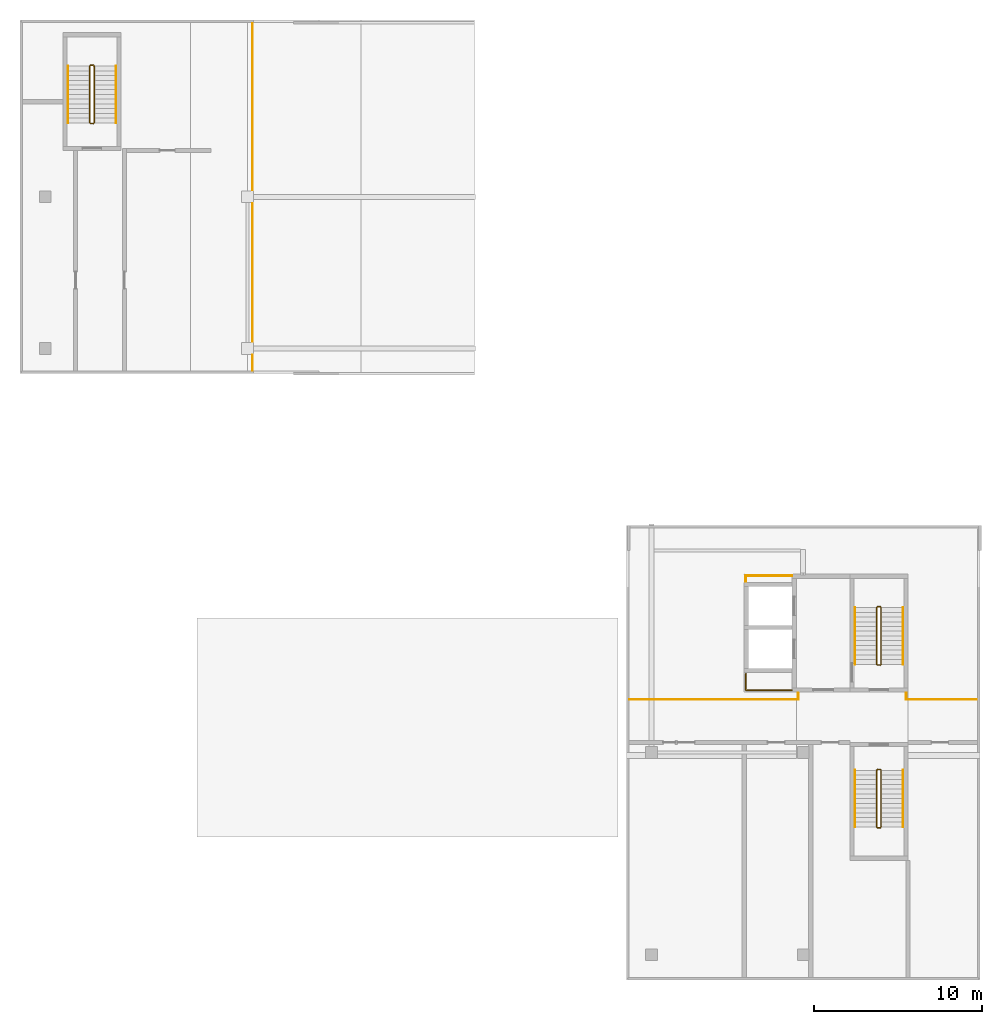
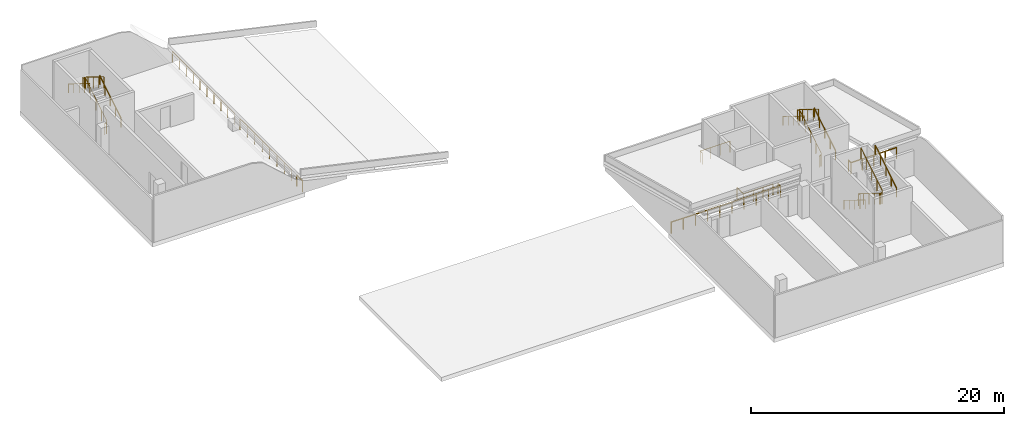
# One storey, part 4 of 4: 16 railings.
"""IFC4 building model written with IfcOpenShell, lengths in metres."""

from ifc_helpers import new_model, si_unit, direction, frame, origin, origin_2d, place, context, subcontext, project, spatial, rectangle, extrude, material, type_object, element, save


model = new_model("IFC4")

# Units and contexts
model_context = context("Model", 3, precision=1e-05, world=origin(), true_north=direction((0.0, 1.0)))
body_context = subcontext(model_context, "Body", "Model", "MODEL_VIEW")
ifc_project = project(units=[si_unit("LENGTHUNIT", "METRE"), si_unit("AREAUNIT", "SQUARE_METRE"), si_unit("VOLUMEUNIT", "CUBIC_METRE"), si_unit("PLANEANGLEUNIT", "RADIAN"), si_unit("MASSUNIT", "GRAM", prefix="KILO")], contexts=[model_context])

# Site, building, storey
site_placement = place(None, origin())
site = spatial("IfcSite", under=ifc_project, at=site_placement, CompositionType="ELEMENT")
building_placement = place(site_placement, origin())
building = spatial("IfcBuilding", under=site, at=building_placement, Name="Chenar Terraces", CompositionType="ELEMENT")
storey_placement = place(building_placement, frame((0.0, 0.0, 388.89990234375)))
storey = spatial("IfcBuildingStorey", under=building, at=storey_placement, Name="L91", CompositionType="ELEMENT", Elevation=388.89990234375)

# Railings
ifc_material_1 = material(Name="Powder-coated steel", Category="steel")
railing_type_1 = type_object("IfcRailingType", Name="Guard 1100 steel rail on posts", PredefinedType="GUARDRAIL", material=ifc_material_1)
railing_1_placement = place(storey_placement, frame((12.300048828125, 35.590087890625, 0.0)))
element("IfcRailing", 1, at=railing_1_placement, inside=storey, type_object=railing_type_1, Name="Guard L91-E1", PredefinedType="GUARDRAIL", context=body_context, shape_type="SweptSolid", body=[
    extrude(rectangle(XDim=0.048095703125, YDim=0.048095703125, at=origin_2d()), frame((0.0, 0.0, 1.076171875), z_axis=(0.0, -1.0, 0.0), x_axis=(1.0, 0.0, 0.0)), (0.0, 0.0, 1.0), 0.89013671875),
    extrude(rectangle(XDim=0.0419921875, YDim=0.0419921875, at=origin_2d()), origin(), (0.0, 0.0, 1.0), 1.052001953125),
    extrude(rectangle(XDim=0.0419921875, YDim=0.0419921875, at=origin_2d()), frame((0.0, -0.89013671875, 0.0)), (0.0, 0.0, 1.0), 1.052001953125),
])
railing_2_placement = place(storey_placement, frame((12.300048828125, 44.590087890625, 0.0)))
element("IfcRailing", 2, at=railing_2_placement, inside=storey, type_object=railing_type_1, Name="Guard L91-E2", PredefinedType="GUARDRAIL", context=body_context, shape_type="SweptSolid", body=[
    extrude(rectangle(XDim=0.048095703125, YDim=0.048095703125, at=origin_2d()), frame((0.0, 0.0, 1.076171875), z_axis=(0.0, -1.0, 0.0), x_axis=(1.0, 0.0, 0.0)), (0.0, 0.0, 1.0), 8.18017578125),
    extrude(rectangle(XDim=0.0419921875, YDim=0.0419921875, at=origin_2d()), origin(), (0.0, 0.0, 1.0), 1.052001953125),
    extrude(rectangle(XDim=0.0419921875, YDim=0.0419921875, at=origin_2d()), frame((0.0, -1.168701171875, 0.0)), (0.0, 0.0, 1.0), 1.052001953125),
    extrude(rectangle(XDim=0.0419921875, YDim=0.0419921875, at=origin_2d()), frame((0.0, -2.337158203125, 0.0)), (0.0, 0.0, 1.0), 1.052001953125),
    extrude(rectangle(XDim=0.0419921875, YDim=0.0419921875, at=origin_2d()), frame((0.0, -3.505859375, 0.0)), (0.0, 0.0, 1.0), 1.052001953125),
    extrude(rectangle(XDim=0.0419921875, YDim=0.0419921875, at=origin_2d()), frame((0.0, -4.67431640625, 0.0)), (0.0, 0.0, 1.0), 1.052001953125),
    extrude(rectangle(XDim=0.0419921875, YDim=0.0419921875, at=origin_2d()), frame((0.0, -5.843017578125, 0.0)), (0.0, 0.0, 1.0), 1.052001953125),
    extrude(rectangle(XDim=0.0419921875, YDim=0.0419921875, at=origin_2d()), frame((0.0, -7.011474609375, 0.0)), (0.0, 0.0, 1.0), 1.052001953125),
    extrude(rectangle(XDim=0.0419921875, YDim=0.0419921875, at=origin_2d()), frame((0.0, -8.18017578125, 0.0)), (0.0, 0.0, 1.0), 1.052001953125),
])
railing_3_placement = place(storey_placement, frame((12.300048828125, 55.300048828125, 0.0)))
element("IfcRailing", 3, at=railing_3_placement, inside=storey, type_object=railing_type_1, Name="Guard L91-E3", PredefinedType="GUARDRAIL", context=body_context, shape_type="SweptSolid", body=[
    extrude(rectangle(XDim=0.048095703125, YDim=0.048095703125, at=origin_2d()), frame((0.0, 0.0, 1.076171875), z_axis=(0.0, -1.0, 0.0), x_axis=(1.0, 0.0, 0.0)), (0.0, 0.0, 1.0), 9.89013671875),
    extrude(rectangle(XDim=0.0419921875, YDim=0.0419921875, at=origin_2d()), origin(), (0.0, 0.0, 1.0), 1.052001953125),
    extrude(rectangle(XDim=0.0419921875, YDim=0.0419921875, at=origin_2d()), frame((0.0, -1.098876953125, 0.0)), (0.0, 0.0, 1.0), 1.052001953125),
    extrude(rectangle(XDim=0.0419921875, YDim=0.0419921875, at=origin_2d()), frame((0.0, -2.19775390625, 0.0)), (0.0, 0.0, 1.0), 1.052001953125),
    extrude(rectangle(XDim=0.0419921875, YDim=0.0419921875, at=origin_2d()), frame((0.0, -3.296630859375, 0.0)), (0.0, 0.0, 1.0), 1.052001953125),
    extrude(rectangle(XDim=0.0419921875, YDim=0.0419921875, at=origin_2d()), frame((0.0, -4.3955078125, 0.0)), (0.0, 0.0, 1.0), 1.052001953125),
    extrude(rectangle(XDim=0.0419921875, YDim=0.0419921875, at=origin_2d()), frame((0.0, -5.49462890625, 0.0)), (0.0, 0.0, 1.0), 1.052001953125),
    extrude(rectangle(XDim=0.0419921875, YDim=0.0419921875, at=origin_2d()), frame((0.0, -6.593505859375, 0.0)), (0.0, 0.0, 1.0), 1.052001953125),
    extrude(rectangle(XDim=0.0419921875, YDim=0.0419921875, at=origin_2d()), frame((0.0, -7.6923828125, 0.0)), (0.0, 0.0, 1.0), 1.052001953125),
    extrude(rectangle(XDim=0.0419921875, YDim=0.0419921875, at=origin_2d()), frame((0.0, -8.791259765625, 0.0)), (0.0, 0.0, 1.0), 1.052001953125),
    extrude(rectangle(XDim=0.0419921875, YDim=0.0419921875, at=origin_2d()), frame((0.0, -9.89013671875, 0.0)), (0.0, 0.0, 1.0), 1.052001953125),
])
railing_4_placement = place(storey_placement, frame((34.699951171875, 15.14990234375, 0.0)))
element("IfcRailing", 4, at=railing_4_placement, inside=storey, type_object=railing_type_1, Name="Guard L91-E4", PredefinedType="GUARDRAIL", context=body_context, shape_type="SweptSolid", body=[
    extrude(rectangle(XDim=0.048095703125, YDim=0.048095703125, at=origin_2d()), frame((0.0, 0.0, 1.076171875), z_axis=(1.0, 0.0, 0.0), x_axis=(0.0, 1.0, 0.0)), (0.0, 0.0, 1.0), 10.0),
    extrude(rectangle(XDim=0.048095703125, YDim=0.048095703125, at=origin_2d()), frame((10.0, 0.0, 1.076171875), z_axis=(0.0, 1.0, 0.0), x_axis=(-1.0, 0.0, 0.0)), (0.0, 0.0, 1.0), 0.39013671875),
    extrude(rectangle(XDim=0.0419921875, YDim=0.0419921875, at=origin_2d()), origin(), (0.0, 0.0, 1.0), 1.052001953125),
    extrude(rectangle(XDim=0.0419921875, YDim=0.0419921875, at=origin_2d()), frame((1.111083984375, 0.0, 0.0)), (0.0, 0.0, 1.0), 1.052001953125),
    extrude(rectangle(XDim=0.0419921875, YDim=0.0419921875, at=origin_2d()), frame((2.22216796875, 0.0, 0.0)), (0.0, 0.0, 1.0), 1.052001953125),
    extrude(rectangle(XDim=0.0419921875, YDim=0.0419921875, at=origin_2d()), frame((3.333251953125, 0.0, 0.0)), (0.0, 0.0, 1.0), 1.052001953125),
    extrude(rectangle(XDim=0.0419921875, YDim=0.0419921875, at=origin_2d()), frame((4.4443359375, 0.0, 0.0)), (0.0, 0.0, 1.0), 1.052001953125),
    extrude(rectangle(XDim=0.0419921875, YDim=0.0419921875, at=origin_2d()), frame((5.5556640625, 0.0, 0.0)), (0.0, 0.0, 1.0), 1.052001953125),
    extrude(rectangle(XDim=0.0419921875, YDim=0.0419921875, at=origin_2d()), frame((6.666748046875, 0.0, 0.0)), (0.0, 0.0, 1.0), 1.052001953125),
    extrude(rectangle(XDim=0.0419921875, YDim=0.0419921875, at=origin_2d()), frame((7.77783203125, 0.0, 0.0)), (0.0, 0.0, 1.0), 1.052001953125),
    extrude(rectangle(XDim=0.0419921875, YDim=0.0419921875, at=origin_2d()), frame((8.888916015625, 0.0, 0.0)), (0.0, 0.0, 1.0), 1.052001953125),
    extrude(rectangle(XDim=0.0419921875, YDim=0.0419921875, at=origin_2d()), frame((10.0, 0.0, 0.0)), (0.0, 0.0, 1.0), 1.052001953125),
    extrude(rectangle(XDim=0.0419921875, YDim=0.0419921875, at=origin_2d()), frame((10.0, 0.39013671875, 0.0)), (0.0, 0.0, 1.0), 1.052001953125),
])
railing_5_placement = place(storey_placement, frame((44.330078125, 15.699951171875, 0.0)))
element("IfcRailing", 5, at=railing_5_placement, inside=storey, type_object=railing_type_1, Name="Guard L91-E5", PredefinedType="GUARDRAIL", context=body_context, shape_type="SweptSolid", body=[
    extrude(rectangle(XDim=0.048095703125, YDim=0.048095703125, at=origin_2d()), frame((0.0, 0.0, 1.076171875), z_axis=(-1.0, 0.0, 0.0), x_axis=(0.0, -1.0, 0.0)), (0.0, 0.0, 1.0), 2.72998046875),
    extrude(rectangle(XDim=0.048095703125, YDim=0.048095703125, at=origin_2d()), frame((-2.72998046875, 0.0, 1.076171875), z_axis=(0.0, 1.0, 0.0), x_axis=(-1.0, 0.0, 0.0)), (0.0, 0.0, 1.0), 0.989990234375),
    extrude(rectangle(XDim=0.0419921875, YDim=0.0419921875, at=origin_2d()), origin(), (0.0, 0.0, 1.0), 1.052001953125),
    extrude(rectangle(XDim=0.0419921875, YDim=0.0419921875, at=origin_2d()), frame((-0.909912109375, 0.0, 0.0)), (0.0, 0.0, 1.0), 1.052001953125),
    extrude(rectangle(XDim=0.0419921875, YDim=0.0419921875, at=origin_2d()), frame((-1.820068359375, 0.0, 0.0)), (0.0, 0.0, 1.0), 1.052001953125),
    extrude(rectangle(XDim=0.0419921875, YDim=0.0419921875, at=origin_2d()), frame((-2.72998046875, 0.0, 0.0)), (0.0, 0.0, 1.0), 1.052001953125),
    extrude(rectangle(XDim=0.0419921875, YDim=0.0419921875, at=origin_2d()), frame((-2.72998046875, 0.989990234375, 0.0)), (0.0, 0.0, 1.0), 1.052001953125),
])
railing_6_placement = place(storey_placement, frame((41.60009765625, 22.159912109375, 0.0)))
element("IfcRailing", 6, at=railing_6_placement, inside=storey, type_object=railing_type_1, Name="Guard L91-E6", PredefinedType="GUARDRAIL", context=body_context, shape_type="SweptSolid", body=[
    extrude(rectangle(XDim=0.048095703125, YDim=0.048095703125, at=origin_2d()), frame((0.0, 0.0, 1.076171875), z_axis=(0.0, 1.0, 0.0), x_axis=(-1.0, 0.0, 0.0)), (0.0, 0.0, 1.0), 0.340087890625),
    extrude(rectangle(XDim=0.048095703125, YDim=0.048095703125, at=origin_2d()), frame((0.0, 0.340087890625, 1.076171875), z_axis=(1.0, 0.0, 0.0), x_axis=(0.0, 1.0, 0.0)), (0.0, 0.0, 1.0), 2.72998046875),
    extrude(rectangle(XDim=0.0419921875, YDim=0.0419921875, at=origin_2d()), origin(), (0.0, 0.0, 1.0), 1.052001953125),
    extrude(rectangle(XDim=0.0419921875, YDim=0.0419921875, at=origin_2d()), frame((0.0, 0.340087890625, 0.0)), (0.0, 0.0, 1.0), 1.052001953125),
    extrude(rectangle(XDim=0.0419921875, YDim=0.0419921875, at=origin_2d()), frame((0.909912109375, 0.340087890625, 0.0)), (0.0, 0.0, 1.0), 1.052001953125),
    extrude(rectangle(XDim=0.0419921875, YDim=0.0419921875, at=origin_2d()), frame((1.820068359375, 0.340087890625, 0.0)), (0.0, 0.0, 1.0), 1.052001953125),
    extrude(rectangle(XDim=0.0419921875, YDim=0.0419921875, at=origin_2d()), frame((2.72998046875, 0.340087890625, 0.0)), (0.0, 0.0, 1.0), 1.052001953125),
])
railing_7_placement = place(storey_placement, frame((51.125, 15.5400390625, 0.0)))
element("IfcRailing", 7, at=railing_7_placement, inside=storey, type_object=railing_type_1, Name="Guard L91-E7", PredefinedType="GUARDRAIL", context=body_context, shape_type="SweptSolid", body=[
    extrude(rectangle(XDim=0.048095703125, YDim=0.048095703125, at=origin_2d()), frame((0.0, 0.0, 1.076171875), z_axis=(0.0, -1.0, 0.0), x_axis=(1.0, 0.0, 0.0)), (0.0, 0.0, 1.0), 0.39013671875),
    extrude(rectangle(XDim=0.048095703125, YDim=0.048095703125, at=origin_2d()), frame((0.0, -0.39013671875, 1.076171875), z_axis=(1.0, 0.0, 0.0), x_axis=(0.0, 1.0, 0.0)), (0.0, 0.0, 1.0), 4.175048828125),
    extrude(rectangle(XDim=0.0419921875, YDim=0.0419921875, at=origin_2d()), origin(), (0.0, 0.0, 1.0), 1.052001953125),
    extrude(rectangle(XDim=0.0419921875, YDim=0.0419921875, at=origin_2d()), frame((0.0, -0.39013671875, 0.0)), (0.0, 0.0, 1.0), 1.052001953125),
    extrude(rectangle(XDim=0.0419921875, YDim=0.0419921875, at=origin_2d()), frame((1.043701171875, -0.39013671875, 0.0)), (0.0, 0.0, 1.0), 1.052001953125),
    extrude(rectangle(XDim=0.0419921875, YDim=0.0419921875, at=origin_2d()), frame((2.08740234375, -0.39013671875, 0.0)), (0.0, 0.0, 1.0), 1.052001953125),
    extrude(rectangle(XDim=0.0419921875, YDim=0.0419921875, at=origin_2d()), frame((3.13134765625, -0.39013671875, 0.0)), (0.0, 0.0, 1.0), 1.052001953125),
    extrude(rectangle(XDim=0.0419921875, YDim=0.0419921875, at=origin_2d()), frame((4.175048828125, -0.39013671875, 0.0)), (0.0, 0.0, 1.0), 1.052001953125),
])
ifc_material_2 = material(Name="Powder-coated steel", Category="steel")
railing_type_2 = type_object("IfcRailingType", Name="Stair guard 1100", PredefinedType="GUARDRAIL", material=ifc_material_2)
railing_8_placement = place(storey_placement, frame((49.375, 17.25, 4.5)))
element("IfcRailing", 8, at=railing_8_placement, inside=storey, type_object=railing_type_2, Name="L91 ST3 stair guard 1", PredefinedType="GUARDRAIL", context=body_context, shape_type="SweptSolid", body=[
    extrude(rectangle(XDim=0.048095703125, YDim=0.048095703125, at=origin_2d()), frame((0.0, 0.0, 1.076171875), z_axis=(0.0, 0.850623216509, -0.525775754039), x_axis=(-1.0, 0.0, 0.0)), (0.0, 0.0, 1.0), 3.9501953125),
    extrude(rectangle(XDim=0.048095703125, YDim=0.048095703125, at=origin_2d()), frame((0.0, 3.360107421875, -1.0009765625), z_axis=(0.267723051232, 0.266417085129, -0.925929967433), x_axis=(-0.705375805398, 0.708833529934, 0.0)), (0.0, 0.0, 1.0), 0.18701171875),
    extrude(rectangle(XDim=0.048095703125, YDim=0.048095703125, at=origin_2d()), frame((0.050048828125, 3.409912109375, -1.173828125), z_axis=(1.0, 0.0, 0.0), x_axis=(0.0, 1.0, 0.0)), (0.0, 0.0, 1.0), 0.14990234375),
    extrude(rectangle(XDim=0.048095703125, YDim=0.048095703125, at=origin_2d()), frame((0.199951171875, 3.409912109375, -1.173828125), z_axis=(0.708833529934, -0.705375805398, 0.0), x_axis=(0.705375805398, 0.708833529934, 0.0)), (0.0, 0.0, 1.0), 0.070556640625),
    extrude(rectangle(XDim=0.048095703125, YDim=0.048095703125, at=origin_2d()), frame((0.25, 3.360107421875, -1.173828125), z_axis=(0.0, -0.850623216509, -0.525775754039), x_axis=(1.0, 0.0, 0.0)), (0.0, 0.0, 1.0), 3.9501953125),
    extrude(rectangle(XDim=0.048095703125, YDim=0.048095703125, at=origin_2d()), frame((0.25, 0.0, -3.2509765625), z_axis=(-0.267629722418, -0.267629722418, -0.925607186314), x_axis=(0.707106781187, -0.707106781187, 0.0)), (0.0, 0.0, 1.0), 0.18701171875),
    extrude(rectangle(XDim=0.048095703125, YDim=0.048095703125, at=origin_2d()), frame((0.199951171875, -0.050048828125, -3.423828125), z_axis=(-1.0, 0.0, 0.0), x_axis=(0.0, -1.0, 0.0)), (0.0, 0.0, 1.0), 0.14990234375),
    extrude(rectangle(XDim=0.0419921875, YDim=0.0419921875, at=origin_2d()), origin(), (0.0, 0.0, 1.0), 1.052001953125),
    extrude(rectangle(XDim=0.0419921875, YDim=0.0419921875, at=origin_2d()), frame((0.0, 0.840087890625, -0.519287109375)), (0.0, 0.0, 1.0), 1.052001953125),
    extrude(rectangle(XDim=0.0419921875, YDim=0.0419921875, at=origin_2d()), frame((0.0, 1.68017578125, -1.03857421875)), (0.0, 0.0, 1.0), 1.052001953125),
    extrude(rectangle(XDim=0.0419921875, YDim=0.0419921875, at=origin_2d()), frame((0.0, 2.52001953125, -1.5576171875)), (0.0, 0.0, 1.0), 1.052001953125),
    extrude(rectangle(XDim=0.0419921875, YDim=0.0419921875, at=origin_2d()), frame((0.0, 3.360107421875, -2.076904296875)), (0.0, 0.0, 1.0), 1.052001953125),
    extrude(rectangle(XDim=0.0419921875, YDim=0.0419921875, at=origin_2d()), frame((0.050048828125, 3.409912109375, -2.25)), (0.0, 0.0, 1.0), 1.052001953125),
    extrude(rectangle(XDim=0.0419921875, YDim=0.0419921875, at=origin_2d()), frame((0.199951171875, 3.409912109375, -2.25)), (0.0, 0.0, 1.0), 1.052001953125),
    extrude(rectangle(XDim=0.0419921875, YDim=0.0419921875, at=origin_2d()), frame((0.25, 3.360107421875, -2.25)), (0.0, 0.0, 1.0), 1.052001953125),
    extrude(rectangle(XDim=0.0419921875, YDim=0.0419921875, at=origin_2d()), frame((0.25, 2.52001953125, -2.769287109375)), (0.0, 0.0, 1.0), 1.052001953125),
    extrude(rectangle(XDim=0.0419921875, YDim=0.0419921875, at=origin_2d()), frame((0.25, 1.68017578125, -3.28857421875)), (0.0, 0.0, 1.0), 1.052001953125),
    extrude(rectangle(XDim=0.0419921875, YDim=0.0419921875, at=origin_2d()), frame((0.25, 0.840087890625, -3.8076171875)), (0.0, 0.0, 1.0), 1.052001953125),
    extrude(rectangle(XDim=0.0419921875, YDim=0.0419921875, at=origin_2d()), frame((0.25, 0.0, -4.326904296875)), (0.0, 0.0, 1.0), 1.052001953125),
    extrude(rectangle(XDim=0.0419921875, YDim=0.0419921875, at=origin_2d()), frame((0.199951171875, -0.050048828125, -4.5)), (0.0, 0.0, 1.0), 1.052001953125),
    extrude(rectangle(XDim=0.0419921875, YDim=0.0419921875, at=origin_2d()), frame((0.050048828125, -0.050048828125, -4.5)), (0.0, 0.0, 1.0), 1.052001953125),
])
railing_9_placement = place(storey_placement, frame((49.625, 10.949951171875, 4.5)))
element("IfcRailing", 9, at=railing_9_placement, inside=storey, type_object=railing_type_2, Name="L91 ST5 stair guard 1", PredefinedType="GUARDRAIL", context=body_context, shape_type="SweptSolid", body=[
    extrude(rectangle(XDim=0.048095703125, YDim=0.048095703125, at=origin_2d()), frame((0.0, 0.0, 1.076171875), z_axis=(0.0, -0.850606129759, -0.525803396734), x_axis=(1.0, 0.0, 0.0)), (0.0, 0.0, 1.0), 3.949951171875),
    extrude(rectangle(XDim=0.048095703125, YDim=0.048095703125, at=origin_2d()), frame((0.0, -3.35986328125, -1.0009765625), z_axis=(-0.267629722418, -0.267629722418, -0.925607186314), x_axis=(0.707106781187, -0.707106781187, 0.0)), (0.0, 0.0, 1.0), 0.18701171875),
    extrude(rectangle(XDim=0.048095703125, YDim=0.048095703125, at=origin_2d()), frame((-0.050048828125, -3.409912109375, -1.173828125), z_axis=(-1.0, 0.0, 0.0), x_axis=(0.0, -1.0, 0.0)), (0.0, 0.0, 1.0), 0.14990234375),
    extrude(rectangle(XDim=0.048095703125, YDim=0.048095703125, at=origin_2d()), frame((-0.199951171875, -3.409912109375, -1.173828125), z_axis=(-0.707106781187, 0.707106781187, 0.0), x_axis=(-0.707106781187, -0.707106781187, 0.0)), (0.0, 0.0, 1.0), 0.07080078125),
    extrude(rectangle(XDim=0.048095703125, YDim=0.048095703125, at=origin_2d()), frame((-0.25, -3.35986328125, -1.173828125), z_axis=(0.0, 0.850606129759, -0.525803396734), x_axis=(-1.0, 0.0, 0.0)), (0.0, 0.0, 1.0), 3.949951171875),
    extrude(rectangle(XDim=0.048095703125, YDim=0.048095703125, at=origin_2d()), frame((-0.25, 0.0, -3.2509765625), z_axis=(0.267629722418, 0.267629722418, -0.925607186314), x_axis=(-0.707106781187, 0.707106781187, 0.0)), (0.0, 0.0, 1.0), 0.18701171875),
    extrude(rectangle(XDim=0.048095703125, YDim=0.048095703125, at=origin_2d()), frame((-0.199951171875, 0.050048828125, -3.423828125), z_axis=(1.0, 0.0, 0.0), x_axis=(0.0, 1.0, 0.0)), (0.0, 0.0, 1.0), 0.14990234375),
    extrude(rectangle(XDim=0.0419921875, YDim=0.0419921875, at=origin_2d()), origin(), (0.0, 0.0, 1.0), 1.052001953125),
    extrude(rectangle(XDim=0.0419921875, YDim=0.0419921875, at=origin_2d()), frame((0.0, -0.83984375, -0.519287109375)), (0.0, 0.0, 1.0), 1.052001953125),
    extrude(rectangle(XDim=0.0419921875, YDim=0.0419921875, at=origin_2d()), frame((0.0, -1.679931640625, -1.03857421875)), (0.0, 0.0, 1.0), 1.052001953125),
    extrude(rectangle(XDim=0.0419921875, YDim=0.0419921875, at=origin_2d()), frame((0.0, -2.52001953125, -1.5576171875)), (0.0, 0.0, 1.0), 1.052001953125),
    extrude(rectangle(XDim=0.0419921875, YDim=0.0419921875, at=origin_2d()), frame((0.0, -3.35986328125, -2.076904296875)), (0.0, 0.0, 1.0), 1.052001953125),
    extrude(rectangle(XDim=0.0419921875, YDim=0.0419921875, at=origin_2d()), frame((-0.050048828125, -3.409912109375, -2.25)), (0.0, 0.0, 1.0), 1.052001953125),
    extrude(rectangle(XDim=0.0419921875, YDim=0.0419921875, at=origin_2d()), frame((-0.199951171875, -3.409912109375, -2.25)), (0.0, 0.0, 1.0), 1.052001953125),
    extrude(rectangle(XDim=0.0419921875, YDim=0.0419921875, at=origin_2d()), frame((-0.25, -3.35986328125, -2.25)), (0.0, 0.0, 1.0), 1.052001953125),
    extrude(rectangle(XDim=0.0419921875, YDim=0.0419921875, at=origin_2d()), frame((-0.25, -2.52001953125, -2.769287109375)), (0.0, 0.0, 1.0), 1.052001953125),
    extrude(rectangle(XDim=0.0419921875, YDim=0.0419921875, at=origin_2d()), frame((-0.25, -1.679931640625, -3.28857421875)), (0.0, 0.0, 1.0), 1.052001953125),
    extrude(rectangle(XDim=0.0419921875, YDim=0.0419921875, at=origin_2d()), frame((-0.25, -0.83984375, -3.8076171875)), (0.0, 0.0, 1.0), 1.052001953125),
    extrude(rectangle(XDim=0.0419921875, YDim=0.0419921875, at=origin_2d()), frame((-0.25, 0.0, -4.326904296875)), (0.0, 0.0, 1.0), 1.052001953125),
    extrude(rectangle(XDim=0.0419921875, YDim=0.0419921875, at=origin_2d()), frame((-0.199951171875, 0.050048828125, -4.5)), (0.0, 0.0, 1.0), 1.052001953125),
    extrude(rectangle(XDim=0.0419921875, YDim=0.0419921875, at=origin_2d()), frame((-0.050048828125, 0.050048828125, -4.5)), (0.0, 0.0, 1.0), 1.052001953125),
])
railing_10_placement = place(storey_placement, frame((2.64990234375, 49.39990234375, 4.5)))
element("IfcRailing", 10, at=railing_10_placement, inside=storey, type_object=railing_type_2, Name="L91 ST6 stair guard 1", PredefinedType="GUARDRAIL", context=body_context, shape_type="SweptSolid", body=[
    extrude(rectangle(XDim=0.048095703125, YDim=0.048095703125, at=origin_2d()), frame((0.0, 0.0, 1.076171875), z_axis=(0.0, 0.850623216509, -0.525775754039), x_axis=(-1.0, 0.0, 0.0)), (0.0, 0.0, 1.0), 3.9501953125),
    extrude(rectangle(XDim=0.048095703125, YDim=0.048095703125, at=origin_2d()), frame((0.0, 3.360107421875, -1.0009765625), z_axis=(0.267629722418, 0.267629722418, -0.925607186314), x_axis=(-0.707106781187, 0.707106781187, 0.0)), (0.0, 0.0, 1.0), 0.18701171875),
    extrude(rectangle(XDim=0.048095703125, YDim=0.048095703125, at=origin_2d()), frame((0.050048828125, 3.41015625, -1.173828125), z_axis=(1.0, 0.0, 0.0), x_axis=(0.0, 1.0, 0.0)), (0.0, 0.0, 1.0), 0.150146484375),
    extrude(rectangle(XDim=0.048095703125, YDim=0.048095703125, at=origin_2d()), frame((0.2001953125, 3.41015625, -1.173828125), z_axis=(0.705375805398, -0.708833529934, 0.0), x_axis=(0.708833529934, 0.705375805398, 0.0)), (0.0, 0.0, 1.0), 0.070556640625),
    extrude(rectangle(XDim=0.048095703125, YDim=0.048095703125, at=origin_2d()), frame((0.25, 3.360107421875, -1.173828125), z_axis=(0.0, -0.850623216509, -0.525775754039), x_axis=(1.0, 0.0, 0.0)), (0.0, 0.0, 1.0), 3.9501953125),
    extrude(rectangle(XDim=0.048095703125, YDim=0.048095703125, at=origin_2d()), frame((0.25, 0.0, -3.2509765625), z_axis=(-0.26651005591, -0.26651005591, -0.926253086471), x_axis=(0.707106781187, -0.707106781187, 0.0)), (0.0, 0.0, 1.0), 0.186767578125),
    extrude(rectangle(XDim=0.048095703125, YDim=0.048095703125, at=origin_2d()), frame((0.2001953125, -0.0498046875, -3.423828125), z_axis=(-1.0, 0.0, 0.0), x_axis=(0.0, -1.0, 0.0)), (0.0, 0.0, 1.0), 0.150146484375),
    extrude(rectangle(XDim=0.0419921875, YDim=0.0419921875, at=origin_2d()), origin(), (0.0, 0.0, 1.0), 1.052001953125),
    extrude(rectangle(XDim=0.0419921875, YDim=0.0419921875, at=origin_2d()), frame((0.0, 0.840087890625, -0.519287109375)), (0.0, 0.0, 1.0), 1.052001953125),
    extrude(rectangle(XDim=0.0419921875, YDim=0.0419921875, at=origin_2d()), frame((0.0, 1.68017578125, -1.03857421875)), (0.0, 0.0, 1.0), 1.052001953125),
    extrude(rectangle(XDim=0.0419921875, YDim=0.0419921875, at=origin_2d()), frame((0.0, 2.52001953125, -1.5576171875)), (0.0, 0.0, 1.0), 1.052001953125),
    extrude(rectangle(XDim=0.0419921875, YDim=0.0419921875, at=origin_2d()), frame((0.0, 3.360107421875, -2.076904296875)), (0.0, 0.0, 1.0), 1.052001953125),
    extrude(rectangle(XDim=0.0419921875, YDim=0.0419921875, at=origin_2d()), frame((0.050048828125, 3.41015625, -2.25)), (0.0, 0.0, 1.0), 1.052001953125),
    extrude(rectangle(XDim=0.0419921875, YDim=0.0419921875, at=origin_2d()), frame((0.2001953125, 3.41015625, -2.25)), (0.0, 0.0, 1.0), 1.052001953125),
    extrude(rectangle(XDim=0.0419921875, YDim=0.0419921875, at=origin_2d()), frame((0.25, 3.360107421875, -2.25)), (0.0, 0.0, 1.0), 1.052001953125),
    extrude(rectangle(XDim=0.0419921875, YDim=0.0419921875, at=origin_2d()), frame((0.25, 2.52001953125, -2.769287109375)), (0.0, 0.0, 1.0), 1.052001953125),
    extrude(rectangle(XDim=0.0419921875, YDim=0.0419921875, at=origin_2d()), frame((0.25, 1.68017578125, -3.28857421875)), (0.0, 0.0, 1.0), 1.052001953125),
    extrude(rectangle(XDim=0.0419921875, YDim=0.0419921875, at=origin_2d()), frame((0.25, 0.840087890625, -3.8076171875)), (0.0, 0.0, 1.0), 1.052001953125),
    extrude(rectangle(XDim=0.0419921875, YDim=0.0419921875, at=origin_2d()), frame((0.25, 0.0, -4.326904296875)), (0.0, 0.0, 1.0), 1.052001953125),
    extrude(rectangle(XDim=0.0419921875, YDim=0.0419921875, at=origin_2d()), frame((0.2001953125, -0.0498046875, -4.5)), (0.0, 0.0, 1.0), 1.052001953125),
    extrude(rectangle(XDim=0.0419921875, YDim=0.0419921875, at=origin_2d()), frame((0.050048828125, -0.0498046875, -4.5)), (0.0, 0.0, 1.0), 1.052001953125),
])
ifc_material_3 = material(Name="Powder-coated steel", Category="steel")
railing_type_3 = type_object("IfcRailingType", Name="Stair handrail 900", PredefinedType="HANDRAIL", material=ifc_material_3)
railing_11_placement = place(storey_placement, frame((50.925048828125, 17.25, 0.173095703125)))
element("IfcRailing", 11, at=railing_11_placement, inside=storey, type_object=railing_type_3, Name="L91 ST3 stair handrail 1", PredefinedType="HANDRAIL", context=body_context, shape_type="SweptSolid", body=[
    extrude(rectangle(XDim=0.048095703125, YDim=0.048095703125, at=origin_2d()), frame((0.0, 0.0, 0.8759765625), z_axis=(0.0, 0.850623216509, 0.525775754039), x_axis=(-1.0, 0.0, 0.0)), (0.0, 0.0, 1.0), 3.9501953125),
    extrude(rectangle(XDim=0.0419921875, YDim=0.0419921875, at=origin_2d()), origin(), (0.0, 0.0, 1.0), 0.851806640625),
    extrude(rectangle(XDim=0.0419921875, YDim=0.0419921875, at=origin_2d()), frame((0.0, 0.840087890625, 0.519287109375)), (0.0, 0.0, 1.0), 0.851806640625),
    extrude(rectangle(XDim=0.0419921875, YDim=0.0419921875, at=origin_2d()), frame((0.0, 1.68017578125, 1.03857421875)), (0.0, 0.0, 1.0), 0.851806640625),
    extrude(rectangle(XDim=0.0419921875, YDim=0.0419921875, at=origin_2d()), frame((0.0, 2.52001953125, 1.5576171875)), (0.0, 0.0, 1.0), 0.851806640625),
    extrude(rectangle(XDim=0.0419921875, YDim=0.0419921875, at=origin_2d()), frame((0.0, 3.360107421875, 2.076904296875)), (0.0, 0.0, 1.0), 0.851806640625),
])
railing_12_placement = place(storey_placement, frame((48.074951171875, 20.610107421875, 2.423095703125)))
element("IfcRailing", 12, at=railing_12_placement, inside=storey, type_object=railing_type_3, Name="L91 ST3 stair handrail 2", PredefinedType="HANDRAIL", context=body_context, shape_type="SweptSolid", body=[
    extrude(rectangle(XDim=0.048095703125, YDim=0.048095703125, at=origin_2d()), frame((0.0, 0.0, 0.8759765625), z_axis=(0.0, -0.850623216509, 0.525775754039), x_axis=(1.0, 0.0, 0.0)), (0.0, 0.0, 1.0), 3.9501953125),
    extrude(rectangle(XDim=0.0419921875, YDim=0.0419921875, at=origin_2d()), origin(), (0.0, 0.0, 1.0), 0.851806640625),
    extrude(rectangle(XDim=0.0419921875, YDim=0.0419921875, at=origin_2d()), frame((0.0, -0.840087890625, 0.519287109375)), (0.0, 0.0, 1.0), 0.851806640625),
    extrude(rectangle(XDim=0.0419921875, YDim=0.0419921875, at=origin_2d()), frame((0.0, -1.68017578125, 1.03857421875)), (0.0, 0.0, 1.0), 0.851806640625),
    extrude(rectangle(XDim=0.0419921875, YDim=0.0419921875, at=origin_2d()), frame((0.0, -2.52001953125, 1.5576171875)), (0.0, 0.0, 1.0), 0.851806640625),
    extrude(rectangle(XDim=0.0419921875, YDim=0.0419921875, at=origin_2d()), frame((0.0, -3.360107421875, 2.076904296875)), (0.0, 0.0, 1.0), 0.851806640625),
])
railing_13_placement = place(storey_placement, frame((48.074951171875, 10.949951171875, 0.173095703125)))
element("IfcRailing", 13, at=railing_13_placement, inside=storey, type_object=railing_type_3, Name="L91 ST5 stair handrail 1", PredefinedType="HANDRAIL", context=body_context, shape_type="SweptSolid", body=[
    extrude(rectangle(XDim=0.048095703125, YDim=0.048095703125, at=origin_2d()), frame((0.0, 0.0, 0.8759765625), z_axis=(0.0, -0.850606129759, 0.525803396734), x_axis=(1.0, 0.0, 0.0)), (0.0, 0.0, 1.0), 3.949951171875),
    extrude(rectangle(XDim=0.0419921875, YDim=0.0419921875, at=origin_2d()), origin(), (0.0, 0.0, 1.0), 0.851806640625),
    extrude(rectangle(XDim=0.0419921875, YDim=0.0419921875, at=origin_2d()), frame((0.0, -0.83984375, 0.519287109375)), (0.0, 0.0, 1.0), 0.851806640625),
    extrude(rectangle(XDim=0.0419921875, YDim=0.0419921875, at=origin_2d()), frame((0.0, -1.679931640625, 1.03857421875)), (0.0, 0.0, 1.0), 0.851806640625),
    extrude(rectangle(XDim=0.0419921875, YDim=0.0419921875, at=origin_2d()), frame((0.0, -2.52001953125, 1.5576171875)), (0.0, 0.0, 1.0), 0.851806640625),
    extrude(rectangle(XDim=0.0419921875, YDim=0.0419921875, at=origin_2d()), frame((0.0, -3.35986328125, 2.076904296875)), (0.0, 0.0, 1.0), 0.851806640625),
])
railing_14_placement = place(storey_placement, frame((50.925048828125, 7.590087890625, 2.423095703125)))
element("IfcRailing", 14, at=railing_14_placement, inside=storey, type_object=railing_type_3, Name="L91 ST5 stair handrail 2", PredefinedType="HANDRAIL", context=body_context, shape_type="SweptSolid", body=[
    extrude(rectangle(XDim=0.048095703125, YDim=0.048095703125, at=origin_2d()), frame((0.0, 0.0, 0.8759765625), z_axis=(0.0, 0.850606129759, 0.525803396734), x_axis=(-1.0, 0.0, 0.0)), (0.0, 0.0, 1.0), 3.949951171875),
    extrude(rectangle(XDim=0.0419921875, YDim=0.0419921875, at=origin_2d()), origin(), (0.0, 0.0, 1.0), 0.851806640625),
    extrude(rectangle(XDim=0.0419921875, YDim=0.0419921875, at=origin_2d()), frame((0.0, 0.83984375, 0.519287109375)), (0.0, 0.0, 1.0), 0.851806640625),
    extrude(rectangle(XDim=0.0419921875, YDim=0.0419921875, at=origin_2d()), frame((0.0, 1.679931640625, 1.03857421875)), (0.0, 0.0, 1.0), 0.851806640625),
    extrude(rectangle(XDim=0.0419921875, YDim=0.0419921875, at=origin_2d()), frame((0.0, 2.52001953125, 1.5576171875)), (0.0, 0.0, 1.0), 0.851806640625),
    extrude(rectangle(XDim=0.0419921875, YDim=0.0419921875, at=origin_2d()), frame((0.0, 3.35986328125, 2.076904296875)), (0.0, 0.0, 1.0), 0.851806640625),
])
railing_15_placement = place(storey_placement, frame((4.199951171875, 49.39990234375, 0.173095703125)))
element("IfcRailing", 15, at=railing_15_placement, inside=storey, type_object=railing_type_3, Name="L91 ST6 stair handrail 1", PredefinedType="HANDRAIL", context=body_context, shape_type="SweptSolid", body=[
    extrude(rectangle(XDim=0.048095703125, YDim=0.048095703125, at=origin_2d()), frame((0.0, 0.0, 0.8759765625), z_axis=(0.0, 0.850623216509, 0.525775754039), x_axis=(-1.0, 0.0, 0.0)), (0.0, 0.0, 1.0), 3.9501953125),
    extrude(rectangle(XDim=0.0419921875, YDim=0.0419921875, at=origin_2d()), origin(), (0.0, 0.0, 1.0), 0.851806640625),
    extrude(rectangle(XDim=0.0419921875, YDim=0.0419921875, at=origin_2d()), frame((0.0, 0.840087890625, 0.519287109375)), (0.0, 0.0, 1.0), 0.851806640625),
    extrude(rectangle(XDim=0.0419921875, YDim=0.0419921875, at=origin_2d()), frame((0.0, 1.68017578125, 1.03857421875)), (0.0, 0.0, 1.0), 0.851806640625),
    extrude(rectangle(XDim=0.0419921875, YDim=0.0419921875, at=origin_2d()), frame((0.0, 2.52001953125, 1.5576171875)), (0.0, 0.0, 1.0), 0.851806640625),
    extrude(rectangle(XDim=0.0419921875, YDim=0.0419921875, at=origin_2d()), frame((0.0, 3.360107421875, 2.076904296875)), (0.0, 0.0, 1.0), 0.851806640625),
])
railing_16_placement = place(storey_placement, frame((1.35009765625, 52.760009765625, 2.423095703125)))
element("IfcRailing", 16, at=railing_16_placement, inside=storey, type_object=railing_type_3, Name="L91 ST6 stair handrail 2", PredefinedType="HANDRAIL", context=body_context, shape_type="SweptSolid", body=[
    extrude(rectangle(XDim=0.048095703125, YDim=0.048095703125, at=origin_2d()), frame((0.0, 0.0, 0.8759765625), z_axis=(0.0, -0.850623216509, 0.525775754039), x_axis=(1.0, 0.0, 0.0)), (0.0, 0.0, 1.0), 3.9501953125),
    extrude(rectangle(XDim=0.0419921875, YDim=0.0419921875, at=origin_2d()), origin(), (0.0, 0.0, 1.0), 0.851806640625),
    extrude(rectangle(XDim=0.0419921875, YDim=0.0419921875, at=origin_2d()), frame((0.0, -0.840087890625, 0.519287109375)), (0.0, 0.0, 1.0), 0.851806640625),
    extrude(rectangle(XDim=0.0419921875, YDim=0.0419921875, at=origin_2d()), frame((0.0, -1.68017578125, 1.03857421875)), (0.0, 0.0, 1.0), 0.851806640625),
    extrude(rectangle(XDim=0.0419921875, YDim=0.0419921875, at=origin_2d()), frame((0.0, -2.52001953125, 1.5576171875)), (0.0, 0.0, 1.0), 0.851806640625),
    extrude(rectangle(XDim=0.0419921875, YDim=0.0419921875, at=origin_2d()), frame((0.0, -3.360107421875, 2.076904296875)), (0.0, 0.0, 1.0), 0.851806640625),
])

save(model, "model.ifc")
